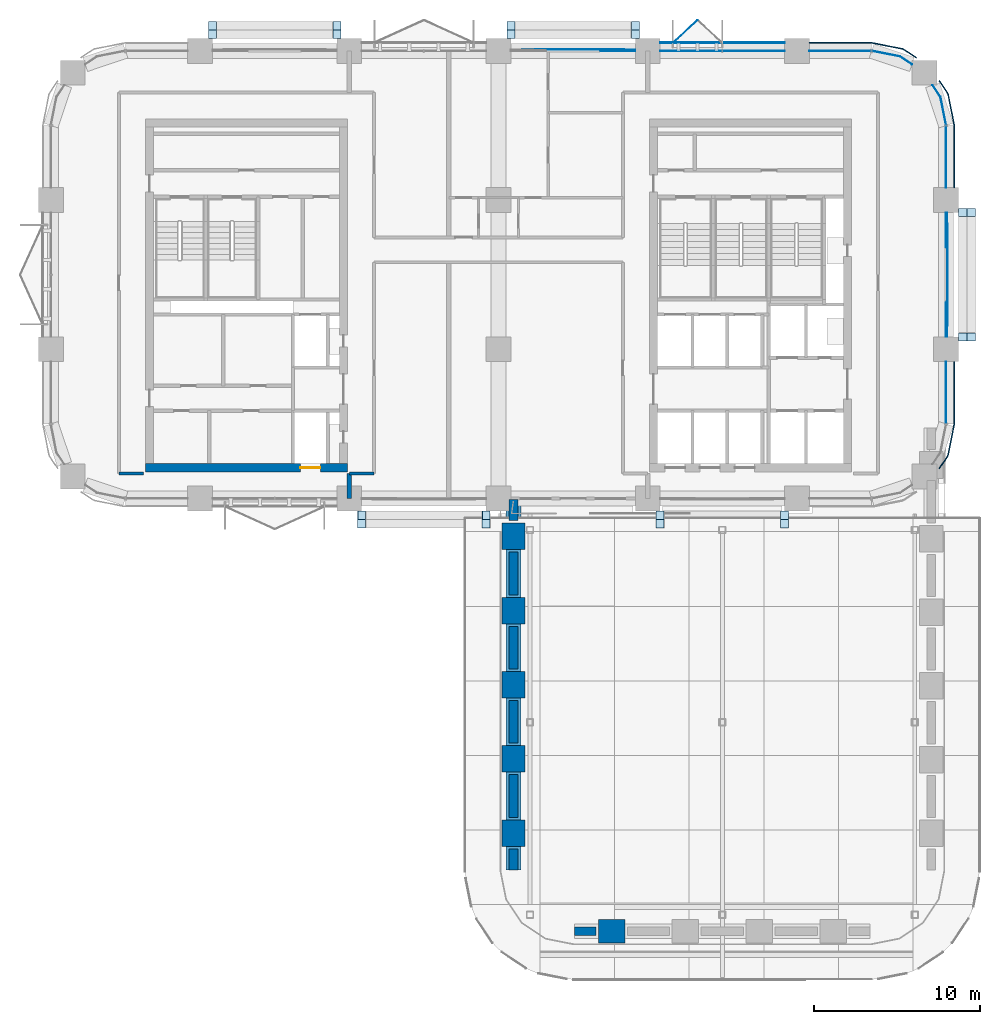
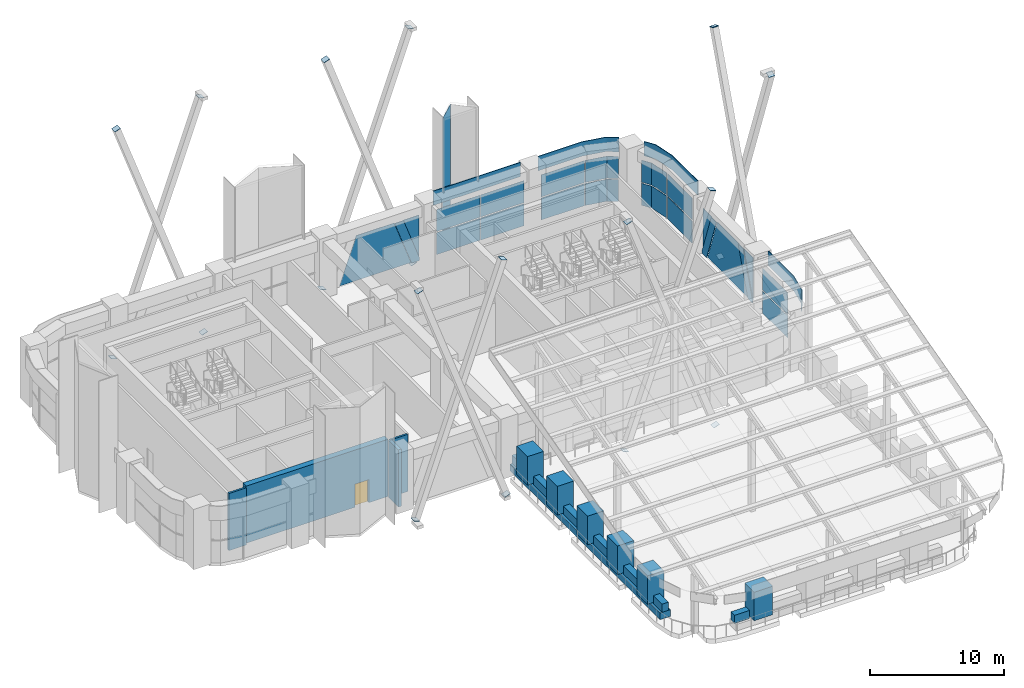
# One storey, part 12 of 22: 47 plates, 18 walls, 1 door, 1 opening, 6 elements without a shape of their own.
"""IFC4 building model written with IfcOpenShell, lengths in metres."""

from ifc_helpers import new_model, si_unit, direction, frame, frame_2d, origin, origin_2d, place, context, subcontext, project, spatial, polyline, rectangle, outline, extrude, material, layer, layer_set, type_object, element, fill, aggregate, save


model = new_model("IFC4")

# Units and contexts
model_context = context("Model", 3, precision=1e-05, world=origin(), true_north=direction((0.0, 1.0)))
body_context = subcontext(model_context, "Body", "Model", "MODEL_VIEW")
ifc_project = project(units=[si_unit("LENGTHUNIT", "METRE"), si_unit("AREAUNIT", "SQUARE_METRE"), si_unit("VOLUMEUNIT", "CUBIC_METRE"), si_unit("PLANEANGLEUNIT", "RADIAN"), si_unit("MASSUNIT", "GRAM", prefix="KILO")], contexts=[model_context])

# Site, building, storey
site_placement = place(None, origin())
site = spatial("IfcSite", under=ifc_project, at=site_placement, CompositionType="ELEMENT")
building_placement = place(site_placement, origin())
building = spatial("IfcBuilding", under=site, at=building_placement, Name="Tessera Arch", CompositionType="ELEMENT")
storey_placement = place(building_placement, frame((0.0, 0.0, 129.39990234375)))
storey = spatial("IfcBuildingStorey", under=building, at=storey_placement, Name="L30", CompositionType="ELEMENT", Elevation=129.39990234375)

# Curtain wall, plates
ifc_material_1 = material(Name="CW1 curtain wall")
curtain_wall_type_1 = type_object("IfcCurtainWallType", Name="CW1 curtain wall", PredefinedType="NOTDEFINED", material=ifc_material_1)
curtain_wall_1_placement = place(storey_placement, origin())
curtain_wall_1 = element("IfcCurtainWall", 1, at=curtain_wall_1_placement, inside=storey, type_object=curtain_wall_type_1, Name="CW1 curtain wall N54.0/1 L30", PredefinedType="NOTDEFINED")
ifc_material_2 = material(Name="Clear low-e glass", Category="glass")
ifc_material_3 = material(Name="Clear low-e glass", Category="glass")
ifc_layer_1 = layer(ifc_material_3, 0.028076171875)
ifc_layer_set_1 = layer_set([ifc_layer_1], Name="CW1 glass panel")
plate_type_1 = type_object("IfcPlateType", Name="CW1 glass panel", PredefinedType="CURTAIN_PANEL", material=ifc_layer_set_1)
plate_1_placement = place(storey_placement, frame((42.389892578125, 54.0, 0.0), z_axis=(0.0, 0.0, 1.0), x_axis=(-1.0, 0.0, 0.0)))
plate_1 = element("IfcPlate", 2, at=plate_1_placement, type_object=plate_type_1, material=ifc_material_2, Name="CW1 glass panel N54.0/1 1.1.1", PredefinedType="CURTAIN_PANEL", context=body_context, shape_type="SweptSolid", body=[
    extrude(rectangle(XDim=3.719970703125, YDim=0.028076171875, at=origin_2d()), origin(), (0.0, 0.0, 1.0), 2.0),
])
plate_2_placement = place(storey_placement, frame((42.389892578125, 54.0, 2.10009765625), z_axis=(0.0, 0.0, 1.0), x_axis=(-1.0, 0.0, 0.0)))
plate_2 = element("IfcPlate", 3, at=plate_2_placement, type_object=plate_type_1, material=ifc_material_2, Name="CW1 glass panel N54.0/1 1.1.2", PredefinedType="CURTAIN_PANEL", context=body_context, shape_type="SweptSolid", body=[
    extrude(rectangle(XDim=3.719970703125, YDim=0.028076171875, at=origin_2d()), origin(), (0.0, 0.0, 1.0), 2.0),
])
plate_3_placement = place(storey_placement, frame((38.610107421875, 54.0, 0.0), z_axis=(0.0, 0.0, 1.0), x_axis=(-1.0, 0.0, 0.0)))
plate_3 = element("IfcPlate", 4, at=plate_3_placement, type_object=plate_type_1, material=ifc_material_2, Name="CW1 glass panel N54.0/1 1.2.1", PredefinedType="CURTAIN_PANEL", context=body_context, shape_type="SweptSolid", body=[
    extrude(rectangle(XDim=3.719970703125, YDim=0.028076171875, at=origin_2d()), origin(), (0.0, 0.0, 1.0), 2.0),
])
plate_4_placement = place(storey_placement, frame((38.610107421875, 54.0, 2.10009765625), z_axis=(0.0, 0.0, 1.0), x_axis=(-1.0, 0.0, 0.0)))
plate_4 = element("IfcPlate", 5, at=plate_4_placement, type_object=plate_type_1, material=ifc_material_2, Name="CW1 glass panel N54.0/1 1.2.2", PredefinedType="CURTAIN_PANEL", context=body_context, shape_type="SweptSolid", body=[
    extrude(rectangle(XDim=3.719970703125, YDim=0.028076171875, at=origin_2d()), origin(), (0.0, 0.0, 1.0), 2.0),
])
ifc_material_4 = material(Name="Pale anodised aluminium panel", Category="aluminium")
ifc_layer_2 = layer(ifc_material_4, 0.06005859375)
ifc_layer_set_2 = layer_set([ifc_layer_2], Name="CW1 spandrel panel")
plate_type_2 = type_object("IfcPlateType", Name="CW1 spandrel panel", PredefinedType="CURTAIN_PANEL", material=ifc_layer_set_2)
plate_5_placement = place(storey_placement, frame((40.5, 54.47998046875, 4.2001953125), z_axis=(0.0, 0.0, 1.0), x_axis=(-1.0, 0.0, 0.0)))
plate_5 = element("IfcPlate", 6, at=plate_5_placement, type_object=plate_type_2, Name="CW1 spandrel panel N54.0/1", PredefinedType="CURTAIN_PANEL", context=body_context, shape_type="SweptSolid", body=[
    extrude(rectangle(XDim=7.5, YDim=0.06005859375, at=origin_2d()), origin(), (0.0, 0.0, 1.0), 1.300048828125),
])
aggregate(curtain_wall_1, [plate_1, plate_2, plate_3, plate_4, plate_5])

ifc_material_5 = material(Name="CW2 curtain wall")
curtain_wall_type_2 = type_object("IfcCurtainWallType", Name="CW2 curtain wall", PredefinedType="NOTDEFINED", material=ifc_material_5)
curtain_wall_2_placement = place(storey_placement, origin())
curtain_wall_2 = element("IfcCurtainWall", 7, at=curtain_wall_2_placement, inside=storey, type_object=curtain_wall_type_2, Name="CW2 curtain wall E54.27/1 L30", PredefinedType="NOTDEFINED")
ifc_material_6 = material(Name="Clear low-e glass", Category="glass")
ifc_layer_3 = layer(ifc_material_6, 0.028076171875)
ifc_layer_set_3 = layer_set([ifc_layer_3], Name="CW2 glass panel")
plate_type_3 = type_object("IfcPlateType", Name="CW2 glass panel", PredefinedType="CURTAIN_PANEL", material=ifc_layer_set_3)
plate_6_placement = place(storey_placement, frame((54.0, 47.60498046875, 0.0), z_axis=(0.0, 0.0, 1.0), x_axis=(0.0, 1.0, 0.0)))
plate_6 = element("IfcPlate", 8, at=plate_6_placement, type_object=plate_type_3, material=ifc_material_2, Name="CW2 glass panel E54.27/1 1.1", PredefinedType="CURTAIN_PANEL", context=body_context, shape_type="SweptSolid", body=[
    extrude(rectangle(XDim=3.7099609375, YDim=0.028076171875, at=origin_2d()), origin(), (0.0, 0.0, 1.0), 2.0),
])
plate_7_placement = place(storey_placement, origin())
plate_7 = element("IfcPlate", 9, at=plate_7_placement, type_object=plate_type_3, material=ifc_material_2, Name="CW2 curved glass panel E54.27/1 2.1", PredefinedType="CURTAIN_PANEL", context=body_context, shape_type="SweptSolid", body=[
    extrude(outline(polyline([(53.644287109375, 51.216552734375), (53.978515625, 49.53662109375), (54.005859375, 49.5419921875), (53.670654296875, 51.2275390625), (53.19482421875, 51.939697265625), (53.17138671875, 51.92431640625), (53.644287109375, 51.216552734375)])), origin(), (0.0, 0.0, 1.0), 2.0),
])
plate_8_placement = place(storey_placement, frame((54.0, 47.60498046875, 2.10009765625), z_axis=(0.0, 0.0, 1.0), x_axis=(0.0, 1.0, 0.0)))
plate_8 = element("IfcPlate", 10, at=plate_8_placement, type_object=plate_type_3, material=ifc_material_2, Name="CW2 glass panel E54.27/1 1.2", PredefinedType="CURTAIN_PANEL", context=body_context, shape_type="SweptSolid", body=[
    extrude(rectangle(XDim=3.7099609375, YDim=0.028076171875, at=origin_2d()), origin(), (0.0, 0.0, 1.0), 2.0),
])
plate_9_placement = place(storey_placement, frame((0.0, 0.0, 2.10009765625)))
plate_9 = element("IfcPlate", 11, at=plate_9_placement, type_object=plate_type_3, material=ifc_material_2, Name="CW2 curved glass panel E54.27/1 2.2", PredefinedType="CURTAIN_PANEL", context=body_context, shape_type="SweptSolid", body=[
    extrude(outline(polyline([(53.644287109375, 51.216552734375), (53.978515625, 49.53662109375), (54.005859375, 49.5419921875), (53.670654296875, 51.2275390625), (53.19482421875, 51.939697265625), (53.17138671875, 51.92431640625), (53.644287109375, 51.216552734375)])), origin(), (0.0, 0.0, 1.0), 2.0),
])

curtain_wall_3_placement = place(storey_placement, origin())
curtain_wall_3 = element("IfcCurtainWall", 12, at=curtain_wall_3_placement, inside=storey, type_object=curtain_wall_type_2, Name="CW2 curtain wall N54.0/0 L30", PredefinedType="NOTDEFINED")
plate_10_placement = place(storey_placement, frame((47.60498046875, 54.0, 0.0), z_axis=(0.0, 0.0, 1.0), x_axis=(-1.0, 0.0, 0.0)))
plate_10 = element("IfcPlate", 13, at=plate_10_placement, type_object=plate_type_3, material=ifc_material_2, Name="CW2 glass panel N54.0/0 1.1", PredefinedType="CURTAIN_PANEL", context=body_context, shape_type="SweptSolid", body=[
    extrude(rectangle(XDim=3.7099609375, YDim=0.028076171875, at=origin_2d()), origin(), (0.0, 0.0, 1.0), 2.0),
])
plate_11_placement = place(storey_placement, origin())
plate_11 = element("IfcPlate", 14, at=plate_11_placement, type_object=plate_type_3, material=ifc_material_2, Name="CW2 curved glass panel N54.0/0 2.1", PredefinedType="CURTAIN_PANEL", context=body_context, shape_type="SweptSolid", body=[
    extrude(outline(polyline([(51.216552734375, 53.644287109375), (51.92431640625, 53.17138671875), (51.939697265625, 53.19482421875), (51.2275390625, 53.670654296875), (49.5419921875, 54.005859375), (49.53662109375, 53.978515625), (51.216552734375, 53.644287109375)])), origin(), (0.0, 0.0, 1.0), 2.0),
])
plate_12_placement = place(storey_placement, frame((47.60498046875, 54.0, 2.10009765625), z_axis=(0.0, 0.0, 1.0), x_axis=(-1.0, 0.0, 0.0)))
plate_12 = element("IfcPlate", 15, at=plate_12_placement, type_object=plate_type_3, material=ifc_material_2, Name="CW2 glass panel N54.0/0 1.2", PredefinedType="CURTAIN_PANEL", context=body_context, shape_type="SweptSolid", body=[
    extrude(rectangle(XDim=3.7099609375, YDim=0.028076171875, at=origin_2d()), origin(), (0.0, 0.0, 1.0), 2.0),
])
plate_13_placement = place(storey_placement, frame((0.0, 0.0, 2.10009765625)))
plate_13 = element("IfcPlate", 16, at=plate_13_placement, type_object=plate_type_3, material=ifc_material_2, Name="CW2 curved glass panel N54.0/0 2.2", PredefinedType="CURTAIN_PANEL", context=body_context, shape_type="SweptSolid", body=[
    extrude(outline(polyline([(51.216552734375, 53.644287109375), (51.92431640625, 53.17138671875), (51.939697265625, 53.19482421875), (51.2275390625, 53.670654296875), (49.5419921875, 54.005859375), (49.53662109375, 53.978515625), (51.216552734375, 53.644287109375)])), origin(), (0.0, 0.0, 1.0), 2.0),
])

curtain_wall_4_placement = place(storey_placement, origin())
curtain_wall_4 = element("IfcCurtainWall", 17, at=curtain_wall_4_placement, inside=storey, type_object=curtain_wall_type_2, Name="CW2 curtain wall E54.27/2 L30", PredefinedType="NOTDEFINED")
plate_14_placement = place(storey_placement, frame((54.0, 33.39501953125, 0.0), z_axis=(0.0, 0.0, 1.0), x_axis=(0.0, 1.0, 0.0)))
plate_14 = element("IfcPlate", 18, at=plate_14_placement, type_object=plate_type_3, material=ifc_material_2, Name="CW2 glass panel E54.27/2 1.1", PredefinedType="CURTAIN_PANEL", context=body_context, shape_type="SweptSolid", body=[
    extrude(rectangle(XDim=3.7099609375, YDim=0.028076171875, at=origin_2d()), origin(), (0.0, 0.0, 1.0), 2.0),
])
plate_15_placement = place(storey_placement, frame((54.0, 33.39501953125, 2.10009765625), z_axis=(0.0, 0.0, 1.0), x_axis=(0.0, 1.0, 0.0)))
plate_15 = element("IfcPlate", 19, at=plate_15_placement, type_object=plate_type_3, material=ifc_material_2, Name="CW2 glass panel E54.27/2 1.2", PredefinedType="CURTAIN_PANEL", context=body_context, shape_type="SweptSolid", body=[
    extrude(rectangle(XDim=3.7099609375, YDim=0.028076171875, at=origin_2d()), origin(), (0.0, 0.0, 1.0), 2.0),
])

# Plate
ifc_material_7 = material(Name="Pale anodised aluminium panel", Category="aluminium")
ifc_layer_4 = layer(ifc_material_7, 0.06005859375)
ifc_layer_set_4 = layer_set([ifc_layer_4], Name="CW2 spandrel panel")
plate_type_4 = type_object("IfcPlateType", Name="CW2 spandrel panel", PredefinedType="CURTAIN_PANEL", material=ifc_layer_set_4)
plate_16_placement = place(storey_placement, frame((0.0, 0.0, 4.2001953125)))
plate_16 = element("IfcPlate", 20, at=plate_16_placement, type_object=plate_type_4, Name="CW2 spandrel panel E54.27/1", PredefinedType="CURTAIN_PANEL", context=body_context, shape_type="SweptSolid", body=[
    extrude(outline(polyline([(54.449951171875, 49.499267578125), (54.449951171875, 45.75), (54.510009765625, 45.75), (54.510009765625, 49.500732421875), (54.507568359375, 49.550048828125), (54.500244140625, 49.598876953125), (54.157470703125, 51.322265625), (54.1455078125, 51.3701171875), (54.128662109375, 51.417236328125), (54.107421875, 51.462646484375), (54.08203125, 51.5048828125), (53.607177734375, 52.21533203125), (53.55712890625, 52.18212890625), (54.03125, 51.47265625), (54.054443359375, 51.434326171875), (54.0732421875, 51.394287109375), (54.088134765625, 51.352783203125), (54.09912109375, 51.30908203125), (54.441162109375, 49.588623046875), (54.44775390625, 49.544189453125), (54.449951171875, 49.499267578125)])), origin(), (0.0, 0.0, 1.0), 1.2998046875),
])

aggregate(curtain_wall_2, [plate_6, plate_7, plate_8, plate_9, plate_16])

plate_17_placement = place(storey_placement, frame((0.0, 0.0, 4.2001953125)))
plate_17 = element("IfcPlate", 21, at=plate_17_placement, type_object=plate_type_4, Name="CW2 spandrel panel N54.0/0", PredefinedType="CURTAIN_PANEL", context=body_context, shape_type="SweptSolid", body=[
    extrude(outline(polyline([(51.47265625, 54.03125), (52.18212890625, 53.55712890625), (52.21533203125, 53.607177734375), (51.5048828125, 54.08203125), (51.462646484375, 54.107421875), (51.417236328125, 54.128662109375), (51.3701171875, 54.1455078125), (51.322265625, 54.157470703125), (49.598876953125, 54.500244140625), (49.550048828125, 54.507568359375), (49.500732421875, 54.510009765625), (45.75, 54.510009765625), (45.75, 54.449951171875), (49.499267578125, 54.449951171875), (49.544189453125, 54.44775390625), (49.588623046875, 54.441162109375), (51.30908203125, 54.09912109375), (51.352783203125, 54.088134765625), (51.394287109375, 54.0732421875), (51.434326171875, 54.054443359375), (51.47265625, 54.03125)])), origin(), (0.0, 0.0, 1.0), 1.2998046875),
])

aggregate(curtain_wall_3, [plate_10, plate_11, plate_12, plate_13, plate_17])

plate_18_placement = place(storey_placement, frame((0.0, 0.0, 4.2001953125)))
plate_18 = element("IfcPlate", 22, at=plate_18_placement, type_object=plate_type_4, Name="CW2 spandrel panel E54.27/2", PredefinedType="CURTAIN_PANEL", context=body_context, shape_type="SweptSolid", body=[
    extrude(outline(polyline([(54.03125, 29.52734375), (53.55712890625, 28.81787109375), (53.607177734375, 28.78466796875), (54.08203125, 29.4951171875), (54.107421875, 29.537353515625), (54.128662109375, 29.582763671875), (54.1455078125, 29.6298828125), (54.157470703125, 29.677734375), (54.500244140625, 31.401123046875), (54.507568359375, 31.449951171875), (54.510009765625, 31.499267578125), (54.510009765625, 35.25), (54.449951171875, 35.25), (54.449951171875, 31.500732421875), (54.44775390625, 31.455810546875), (54.441162109375, 31.411376953125), (54.09912109375, 29.69091796875), (54.088134765625, 29.647216796875), (54.0732421875, 29.605712890625), (54.054443359375, 29.565673828125), (54.03125, 29.52734375)])), origin(), (0.0, 0.0, 1.0), 1.2998046875),
])

aggregate(curtain_wall_4, [plate_14, plate_15, plate_18])

# Curtain wall, plates
ifc_material_8 = material(Name="CW3 curtain wall")
curtain_wall_type_3 = type_object("IfcCurtainWallType", Name="CW3 curtain wall", PredefinedType="NOTDEFINED", material=ifc_material_8)
curtain_wall_5_placement = place(storey_placement, origin())
curtain_wall_5 = element("IfcCurtainWall", 23, at=curtain_wall_5_placement, inside=storey, type_object=curtain_wall_type_3, Name="CW3 curtain wall E54.27/0 L30", PredefinedType="NOTDEFINED")
ifc_material_9 = material(Name="Pale anodised aluminium panel", Category="aluminium")
ifc_layer_5 = layer(ifc_material_9, 0.06005859375)
ifc_layer_set_5 = layer_set([ifc_layer_5], Name="CW3 diagonal panel")
plate_type_5 = type_object("IfcPlateType", Name="CW3 diagonal panel", PredefinedType="CURTAIN_PANEL", material=ifc_layer_set_5)
plate_19_placement = place(storey_placement, frame((54.030029296875, 44.25, 0.0), z_axis=(1.0, 0.0, 0.0), x_axis=(0.0, 0.0, 1.0)))
plate_19 = element("IfcPlate", 24, at=plate_19_placement, type_object=plate_type_5, Name="CW3 diagonal panel E54.27/0 1", PredefinedType="CURTAIN_PANEL", context=body_context, shape_type="SweptSolid", body=[
    extrude(outline(polyline([(0.0, 0.0), (0.277099609375, 0.0), (4.10009765625, 1.35888671875), (4.10009765625, 2.12451171875), (0.0, 0.667236328125), (0.0, 0.0)])), origin(), (0.0, 0.0, -1.0), 0.06005859375),
])
plate_20_placement = place(storey_placement, frame((54.030029296875, 38.87451171875, 4.10009765625), z_axis=(1.0, 0.0, 0.0), x_axis=(0.0, -1.0, 0.0)))
plate_20 = element("IfcPlate", 25, at=plate_20_placement, type_object=plate_type_5, Name="CW3 diagonal panel E54.27/0 2", PredefinedType="CURTAIN_PANEL", context=body_context, shape_type="SweptSolid", body=[
    extrude(outline(polyline([(0.0, 0.0), (0.765625, 0.0), (2.12451171875, 3.822998046875), (2.12451171875, 4.10009765625), (1.457275390625, 4.10009765625), (0.0, 0.0)])), origin(), (0.0, 0.0, -1.0), 0.06005859375),
])

# Curtain wall, plate
curtain_wall_6_placement = place(storey_placement, origin())
curtain_wall_6 = element("IfcCurtainWall", 26, at=curtain_wall_6_placement, inside=storey, type_object=curtain_wall_type_3, Name="CW3 curtain wall N54.0/2 L30", PredefinedType="NOTDEFINED")
plate_21_placement = place(storey_placement, frame((33.12548828125, 54.030029296875, 4.10009765625), z_axis=(0.0, 1.0, 0.0), x_axis=(1.0, 0.0, 0.0)))
plate_21 = element("IfcPlate", 27, at=plate_21_placement, type_object=plate_type_5, Name="CW3 diagonal panel N54.0/2 2", PredefinedType="CURTAIN_PANEL", context=body_context, shape_type="SweptSolid", body=[
    extrude(outline(polyline([(0.0, 0.0), (0.765625, 0.0), (2.12451171875, 3.822998046875), (2.12451171875, 4.10009765625), (1.457275390625, 4.10009765625), (0.0, 0.0)])), origin(), (0.0, 0.0, -1.0), 0.06005859375),
])

# Plate
ifc_material_10 = material(Name="Clear low-e glass", Category="glass")
ifc_layer_6 = layer(ifc_material_10, 0.028076171875)
ifc_layer_set_6 = layer_set([ifc_layer_6], Name="CW3 glass panel")
plate_type_6 = type_object("IfcPlateType", Name="CW3 glass panel", PredefinedType="CURTAIN_PANEL", material=ifc_layer_set_6)
plate_22_placement = place(storey_placement, frame((54.05810546875, 36.75, 4.10009765625), z_axis=(1.0, 0.0, 0.0), x_axis=(0.0, 0.0, -1.0)))
plate_22 = element("IfcPlate", 28, at=plate_22_placement, type_object=plate_type_6, material=ifc_material_2, Name="CW3 triangulated glass panel E54.27/0 1", PredefinedType="CURTAIN_PANEL", context=body_context, shape_type="SweptSolid", body=[
    extrude(outline(polyline([(0.0, 0.0), (3.822998046875, 0.0), (0.0, 1.35888671875), (0.0, 0.0)])), origin(), (0.0, 0.0, -1.0), 0.028076171875),
])

plate_23_placement = place(storey_placement, frame((54.0859375, 42.12548828125, 4.10009765625), z_axis=(1.0, 0.0, 0.0), x_axis=(0.0, -1.0, 0.0)))
plate_23 = element("IfcPlate", 29, at=plate_23_placement, type_object=plate_type_6, material=ifc_material_2, Name="CW3 triangulated glass panel E54.27/0 2", PredefinedType="CURTAIN_PANEL", context=body_context, shape_type="SweptSolid", body=[
    extrude(outline(polyline([(0.0, 0.0), (3.2509765625, 0.0), (4.708251953125, 4.10009765625), (-1.457275390625, 4.10009765625), (0.0, 0.0)])), origin(), (0.0, 0.0, -1.0), 0.028076171875),
])

plate_24_placement = place(storey_placement, frame((54.05810546875, 44.25, 4.10009765625), z_axis=(1.0, 0.0, 0.0), x_axis=(0.0, -1.0, 0.0)))
plate_24 = element("IfcPlate", 30, at=plate_24_placement, type_object=plate_type_6, material=ifc_material_2, Name="CW3 triangulated glass panel E54.27/0 3", PredefinedType="CURTAIN_PANEL", context=body_context, shape_type="SweptSolid", body=[
    extrude(outline(polyline([(0.0, 0.0), (1.35888671875, 0.0), (0.0, 3.822998046875), (0.0, 0.0)])), origin(), (0.0, 0.0, -1.0), 0.028076171875),
])

aggregate(curtain_wall_5, [plate_22, plate_23, plate_24, plate_19, plate_20])

plate_25_placement = place(storey_placement, frame((35.25, 54.05810546875, 4.10009765625), z_axis=(0.0, 1.0, 0.0), x_axis=(0.0, 0.0, -1.0)))
plate_25 = element("IfcPlate", 31, at=plate_25_placement, type_object=plate_type_6, material=ifc_material_2, Name="CW3 triangulated glass panel N54.0/2 1", PredefinedType="CURTAIN_PANEL", context=body_context, shape_type="SweptSolid", body=[
    extrude(outline(polyline([(0.0, 0.0), (3.822998046875, 0.0), (0.0, 1.35888671875), (0.0, 0.0)])), origin(), (0.0, 0.0, -1.0), 0.028076171875),
])

plate_26_placement = place(storey_placement, frame((29.87451171875, 54.0859375, 4.10009765625), z_axis=(0.0, 1.0, 0.0), x_axis=(1.0, 0.0, 0.0)))
plate_26 = element("IfcPlate", 32, at=plate_26_placement, type_object=plate_type_6, material=ifc_material_2, Name="CW3 triangulated glass panel N54.0/2 2", PredefinedType="CURTAIN_PANEL", context=body_context, shape_type="SweptSolid", body=[
    extrude(outline(polyline([(0.0, 0.0), (3.2509765625, 0.0), (4.708251953125, 4.10009765625), (-1.457275390625, 4.10009765625), (0.0, 0.0)])), origin(), (0.0, 0.0, -1.0), 0.028076171875),
])

aggregate(curtain_wall_6, [plate_25, plate_26, plate_21])

# Plates
ifc_material_11 = material(Name="Steel A572 Gr50", Category="steel")
ifc_layer_7 = layer(ifc_material_11, 0.02490234375)
ifc_layer_set_7 = layer_set([ifc_layer_7], Name="End plate HSS20x20x5/8")
plate_type_7 = type_object("IfcPlateType", Name="End plate HSS20x20x5/8", PredefinedType="SHEET", material=ifc_layer_set_7)
for number, where, z_axis, x_axis, name in (
    (33, (55.00390625, 36.74169921875, -0.823486328125), (0.0, 0.330783749989, 0.943706580852), (-1.0, 0.0, 0.0), "End plate HSS20x20x5/8 E54.27-0 A1 L30"),
    (34, (55.00390625, 44.25, 20.300048828125), (0.0, 0.330783749989, 0.943706580852), (-1.0, 0.0, 0.0), "End plate HSS20x20x5/8 E54.27-0 A2 L30"),
    (35, (55.511962890625, 44.25830078125, -0.823486328125), (0.0, -0.330783749989, 0.943706580852), (1.0, 0.0, 0.0), "End plate HSS20x20x5/8 E54.27-0 B1 L30"),
    (36, (55.511962890625, 36.75, 20.300048828125), (0.0, -0.330783749989, 0.943706580852), (1.0, 0.0, 0.0), "End plate HSS20x20x5/8 E54.27-0 B2 L30"),
    (37, (35.25830078125, 55.00390625, -0.823486328125), (-0.330783749989, 0.0, 0.943706580852), (0.0, -1.0, 0.0), "End plate HSS20x20x5/8 N54.0-2 A1 L30"),
    (38, (27.75, 55.00390625, 20.300048828125), (-0.330783749989, 0.0, 0.943706580852), (0.0, -1.0, 0.0), "End plate HSS20x20x5/8 N54.0-2 A2 L30"),
    (39, (27.74169921875, 55.511962890625, -0.823486328125), (0.330783749989, 0.0, 0.943706580852), (0.0, 1.0, 0.0), "End plate HSS20x20x5/8 N54.0-2 B1 L30"),
    (40, (35.25, 55.511962890625, 20.300048828125), (0.330783749989, 0.0, 0.943706580852), (0.0, 1.0, 0.0), "End plate HSS20x20x5/8 N54.0-2 B2 L30"),
    (41, (17.25830078125, 55.00390625, -0.823486328125), (-0.330783749989, 0.0, 0.943706580852), (0.0, -1.0, 0.0), "End plate HSS20x20x5/8 N54.0-4 A1 L30"),
    (42, (9.75, 55.00390625, 20.300048828125), (-0.330783749989, 0.0, 0.943706580852), (0.0, -1.0, 0.0), "End plate HSS20x20x5/8 N54.0-4 A2 L30"),
    (43, (9.74169921875, 55.511962890625, -0.823486328125), (0.330783749989, 0.0, 0.943706580852), (0.0, 1.0, 0.0), "End plate HSS20x20x5/8 N54.0-4 B1 L30"),
    (44, (17.25, 55.511962890625, 20.300048828125), (0.330783749989, 0.0, 0.943706580852), (0.0, 1.0, 0.0), "End plate HSS20x20x5/8 N54.0-4 B2 L30"),
    (45, (18.74169921875, 25.99609375, -0.823486328125), (0.330783749989, 0.0, 0.943706580852), (0.0, 1.0, 0.0), "End plate HSS20x20x5/8 S27.0-2 A1 L30"),
    (46, (26.25, 25.99609375, 20.300048828125), (0.330783749989, 0.0, 0.943706580852), (0.0, 1.0, 0.0), "End plate HSS20x20x5/8 S27.0-2 A2 L30"),
    (47, (26.25830078125, 25.488037109375, -0.823486328125), (-0.330783749989, 0.0, 0.943706580852), (0.0, -1.0, 0.0), "End plate HSS20x20x5/8 S27.0-2 B1 L30"),
    (48, (18.75, 25.488037109375, 20.300048828125), (-0.330783749989, 0.0, 0.943706580852), (0.0, -1.0, 0.0), "End plate HSS20x20x5/8 S27.0-2 B2 L30"),
    (49, (36.74169921875, 25.99609375, -0.823486328125), (0.330783749989, 0.0, 0.943706580852), (0.0, 1.0, 0.0), "End plate HSS20x20x5/8 S27.0-4 A1 L30"),
    (50, (44.25, 25.99609375, 20.300048828125), (0.330783749989, 0.0, 0.943706580852), (0.0, 1.0, 0.0), "End plate HSS20x20x5/8 S27.0-4 A2 L30"),
    (51, (44.25830078125, 25.488037109375, -0.823486328125), (-0.330783749989, 0.0, 0.943706580852), (0.0, -1.0, 0.0), "End plate HSS20x20x5/8 S27.0-4 B1 L30"),
    (52, (36.75, 25.488037109375, 20.300048828125), (-0.330783749989, 0.0, 0.943706580852), (0.0, -1.0, 0.0), "End plate HSS20x20x5/8 S27.0-4 B2 L30"),
):
    element("IfcPlate", number, at=place(storey_placement, frame(where, z_axis=z_axis, x_axis=x_axis)), inside=storey, type_object=plate_type_7, Name=name, PredefinedType="SHEET", context=body_context, shape_type="SweptSolid", body=[
        extrude(rectangle(XDim=0.508056640625, YDim=0.508056640625, at=origin_2d()), origin(), (0.0, 0.0, 1.0), 0.025146484375),
    ])
ifc_material_12 = material(Name="Clear low-e glass", Category="glass")
ifc_layer_8 = layer(ifc_material_12, 0.028076171875)
ifc_layer_set_8 = layer_set([ifc_layer_8], Name="Window box glass facet")
plate_type_8 = type_object("IfcPlateType", Name="Window box glass facet", PredefinedType="SHEET", material=ifc_layer_set_8)
plate_27_placement = place(storey_placement, frame((38.27490234375, 55.179931640625, 0.219970703125), z_axis=(0.0, 0.0, 1.0), x_axis=(0.734414958885, 0.678700720617, 0.0)))
element("IfcPlate", 53, at=plate_27_placement, inside=storey, type_object=plate_type_8, Name="Window box N54.0/1.1 1x3 glass", PredefinedType="SHEET", context=body_context, shape_type="SweptSolid", body=[
    extrude(rectangle(XDim=1.974365234375, YDim=0.028076171875, at=origin_2d()), origin(), (0.0, 0.0, 1.0), 11.56005859375),
])

# Wall, opening, door
ifc_material_13 = material(Name="Concrete C60/75", Category="concrete")
ifc_layer_9 = layer(ifc_material_13, 0.5)
ifc_layer_set_9 = layer_set([ifc_layer_9], Name="Core shell wall 500 C60-75")
wall_type_1 = type_object("IfcWallType", Name="Core shell wall 500 C60-75", PredefinedType="SHEAR", material=ifc_layer_set_9)
wall_1_placement = place(storey_placement, frame((5.699951171875, 28.85009765625, 0.0), z_axis=(0.0, 0.0, 1.0), x_axis=(1.0, 0.0, 0.0)))
wall_1 = element("IfcWall", 54, at=wall_1_placement, inside=storey, type_object=wall_type_1, Name="L30 C2 core wall S", PredefinedType="SHEAR", context=body_context, shape_type="SweptSolid", body=[
    extrude(rectangle(XDim=12.199951171875, YDim=0.5, at=frame_2d((6.10009765625, 0.0))), origin(), (0.0, 0.0, 1.0), 5.2001953125),
])
opening_placement = place(wall_1_placement, frame((9.35009765625, 0.0, 0.0)))
opening = element("IfcOpeningElement", 55, at=opening_placement, cuts=wall_1, Name="Opening L30-C20", PredefinedType="OPENING", context=body_context, shape_type="SweptSolid", body=[
    extrude(rectangle(XDim=1.199951171875, YDim=2.10009765625, at=frame_2d((0.60009765625, 1.050048828125))), frame((0.0, 0.260009765625, 0.0), z_axis=(0.0, -1.0, 0.0), x_axis=(1.0, 0.0, 0.0)), (0.0, 0.0, 1.0), 0.52001953125),
])
ifc_material_14 = material(Name="Stainless steel AISI 304", Category="steel")
door_type = type_object("IfcDoorType", Name="Sliding landing door 1200 x 2100", OperationType="SLIDING_TO_LEFT", PredefinedType="DOOR", material=ifc_material_14)
door_placement = place(opening_placement, origin())
door = element("IfcDoor", 56, at=door_placement, inside=storey, type_object=door_type, Name="L30 HR7 lift landing door C20 type LD", OperationType="SLIDING_TO_LEFT", OverallHeight=2.10009765625, OverallWidth=1.199951171875, PredefinedType="DOOR", context=body_context, shape_type="SweptSolid", body=[
    extrude(rectangle(XDim=1.199951171875, YDim=2.10009765625, at=frame_2d((0.60009765625, 1.050048828125))), frame((0.0, 0.02490234375, 0.0), z_axis=(0.0, -1.0, 0.0), x_axis=(1.0, 0.0, 0.0)), (0.0, 0.0, 1.0), 0.050048828125),
])
fill(opening, door)

# Walls
ifc_material_15 = material(Name="Gypsum board on deep steel stud with mineral wool", Category="steel")
ifc_layer_10 = layer(ifc_material_15, 0.175048828125)
ifc_layer_set_10 = layer_set([ifc_layer_10], Name="Corridor wall 175 EI 60")
wall_type_2 = type_object("IfcWallType", Name="Corridor wall 175 EI 60", PredefinedType="PARTITIONING", material=ifc_layer_set_10)
for number, where, z_axis, x_axis, name in (
    (57, (4.10009765625, 28.5, 0.0), (0.0, 0.0, 1.0), (1.0, 0.0, 0.0), "L30 partition 1"),
    (58, (18.0, 28.5, 0.0), (0.0, 0.0, 1.0), (1.0, 0.0, 0.0), "L30 partition 2"),
):
    element("IfcWall", number, at=place(storey_placement, frame(where, z_axis=z_axis, x_axis=x_axis)), inside=storey, type_object=wall_type_2, Name=name, PredefinedType="PARTITIONING", context=body_context, shape_type="SweptSolid", body=[
        extrude(rectangle(XDim=1.5, YDim=0.175048828125, at=frame_2d((0.75, 0.0))), origin(), (0.0, 0.0, 1.0), 5.2001953125),
    ])
ifc_material_16 = material(Name="Double gypsum board on twin steel stud with acoustic mineral wool", Category="steel")
ifc_layer_11 = layer(ifc_material_16, 0.25)
ifc_layer_set_11 = layer_set([ifc_layer_11], Name="Party wall 250 EI 60")
wall_type_3 = type_object("IfcWallType", Name="Party wall 250 EI 60", PredefinedType="PARTITIONING", material=ifc_layer_set_11)
wall_2_placement = place(storey_placement, frame((18.0, 27.0, 0.0), z_axis=(0.0, 0.0, 1.0), x_axis=(0.0, 1.0, 0.0)))
element("IfcWall", 59, at=wall_2_placement, inside=storey, type_object=wall_type_3, Name="L30 partition 19", PredefinedType="PARTITIONING", context=body_context, shape_type="SweptSolid", body=[
    extrude(rectangle(XDim=1.5, YDim=0.25, at=frame_2d((0.75, 0.0))), origin(), (0.0, 0.0, 1.0), 5.2001953125),
])
ifc_material_17 = material(Name="Precast concrete C40/50", Category="concrete")
ifc_layer_12 = layer(ifc_material_17, 1.39990234375)
ifc_layer_set_12 = layer_set([ifc_layer_12], Name="Planter bed 1400 wide")
wall_type_4 = type_object("IfcWallType", Name="Planter bed 1400 wide", PredefinedType="SOLIDWALL", material=ifc_layer_set_12)
wall_3_placement = place(storey_placement, frame((34.617431640625, 0.89990234375, 0.60009765625), z_axis=(0.0, 0.0, 1.0), x_axis=(-1.0, 0.0, 0.0)))
element("IfcWall", 60, at=wall_3_placement, inside=storey, type_object=wall_type_4, Name="Tree planting on bed terrace bed 1-2 4", PredefinedType="SOLIDWALL", context=body_context, shape_type="SweptSolid", body=[
    extrude(rectangle(XDim=1.60009765625, YDim=1.39990234375, at=frame_2d((0.800048828125, 0.0))), origin(), (0.0, 0.0, 1.0), 2.60009765625),
])
for number, where, z_axis, x_axis, name in (
    (61, (27.900146484375, 6.024169921875, 0.60009765625), (0.0, 0.0, 1.0), (0.0, 1.0, 0.0), "Tree planting on bed terrace bed 1-3 1"),
    (62, (27.900146484375, 10.49658203125, 0.60009765625), (0.0, 0.0, 1.0), (0.0, 1.0, 0.0), "Tree planting on bed terrace bed 1-3 2"),
    (63, (27.900146484375, 14.968994140625, 0.60009765625), (0.0, 0.0, 1.0), (0.0, 1.0, 0.0), "Tree planting on bed terrace bed 1-3 3"),
):
    element("IfcWall", number, at=place(storey_placement, frame(where, z_axis=z_axis, x_axis=x_axis)), inside=storey, type_object=wall_type_4, Name=name, PredefinedType="SOLIDWALL", context=body_context, shape_type="SweptSolid", body=[
        extrude(rectangle(XDim=1.599853515625, YDim=1.39990234375, at=frame_2d((0.7998046875, 0.0))), origin(), (0.0, 0.0, 1.0), 2.60009765625),
    ])
for number, where, z_axis, x_axis, name in (
    (64, (27.900146484375, 19.44140625, 0.60009765625), (0.0, 0.0, 1.0), (0.0, 1.0, 0.0), "Tree planting on bed terrace bed 1-3 4"),
    (65, (27.89990234375, 23.913818359375, 0.60009765625), (0.0, 0.0, 1.0), (0.0, 1.0, 0.0), "Tree planting on bed terrace bed 1-3 5"),
):
    element("IfcWall", number, at=place(storey_placement, frame(where, z_axis=z_axis, x_axis=x_axis)), inside=storey, type_object=wall_type_4, Name=name, PredefinedType="SOLIDWALL", context=body_context, shape_type="SweptSolid", body=[
        extrude(rectangle(XDim=1.60009765625, YDim=1.39990234375, at=frame_2d((0.800048828125, 0.0))), origin(), (0.0, 0.0, 1.0), 2.60009765625),
    ])
ifc_material_18 = material(Name="Precast concrete C40/50", Category="concrete")
ifc_layer_13 = layer(ifc_material_18, 0.5400390625)
ifc_layer_set_13 = layer_set([ifc_layer_13], Name="Planter bed 540 wide")
wall_type_5 = type_object("IfcWallType", Name="Planter bed 540 wide", PredefinedType="SOLIDWALL", material=ifc_layer_set_13)
wall_4_placement = place(storey_placement, frame((32.867431640625, 0.89990234375, 0.60009765625), z_axis=(0.0, 0.0, 1.0), x_axis=(-1.0, 0.0, 0.0)))
element("IfcWall", 66, at=wall_4_placement, inside=storey, type_object=wall_type_5, Name="PLANTER shrub mass on terrace bed 1-2 5", PredefinedType="SOLIDWALL", context=body_context, shape_type="SweptSolid", body=[
    extrude(rectangle(XDim=1.27783203125, YDim=0.5400390625, at=frame_2d((0.638916015625, 0.0))), origin(), (0.0, 0.0, 1.0), 0.75),
])
wall_5_placement = place(storey_placement, frame((27.900146484375, 4.587890625, 0.60009765625), z_axis=(0.0, 0.0, 1.0), x_axis=(0.0, 1.0, 0.0)))
element("IfcWall", 67, at=wall_5_placement, inside=storey, type_object=wall_type_5, Name="PLANTER shrub mass on terrace bed 1-3 1", PredefinedType="SOLIDWALL", context=body_context, shape_type="SweptSolid", body=[
    extrude(rectangle(XDim=1.2861328125, YDim=0.5400390625, at=frame_2d((0.64306640625, 0.0))), origin(), (0.0, 0.0, 1.0), 0.75),
])
wall_6_placement = place(storey_placement, frame((27.900146484375, 7.774169921875, 0.60009765625), z_axis=(0.0, 0.0, 1.0), x_axis=(0.0, 1.0, 0.0)))
element("IfcWall", 68, at=wall_6_placement, inside=storey, type_object=wall_type_5, Name="PLANTER shrub mass on terrace bed 1-3 2", PredefinedType="SOLIDWALL", context=body_context, shape_type="SweptSolid", body=[
    extrude(rectangle(XDim=2.572265625, YDim=0.5400390625, at=frame_2d((1.2861328125, 0.0))), origin(), (0.0, 0.0, 1.0), 0.75),
])
for number, where, z_axis, x_axis, name in (
    (69, (27.900146484375, 12.24658203125, 0.60009765625), (0.0, 0.0, 1.0), (0.0, 1.0, 0.0), "PLANTER shrub mass on terrace bed 1-3 3"),
    (70, (27.900146484375, 16.718994140625, 0.60009765625), (0.0, 0.0, 1.0), (0.0, 1.0, 0.0), "PLANTER shrub mass on terrace bed 1-3 4"),
    (71, (27.900146484375, 21.19140625, 0.60009765625), (0.0, 0.0, 1.0), (-9.4903672e-05, 0.999999995497, 0.0), "PLANTER shrub mass on terrace bed 1-3 5"),
):
    element("IfcWall", number, at=place(storey_placement, frame(where, z_axis=z_axis, x_axis=x_axis)), inside=storey, type_object=wall_type_5, Name=name, PredefinedType="SOLIDWALL", context=body_context, shape_type="SweptSolid", body=[
        extrude(rectangle(XDim=2.572509765625, YDim=0.5400390625, at=frame_2d((1.2861328125, 0.0))), origin(), (0.0, 0.0, 1.0), 0.75),
    ])
wall_7_placement = place(storey_placement, frame((27.89990234375, 25.663818359375, 0.60009765625), z_axis=(0.0, 0.0, 1.0), x_axis=(0.0, 1.0, 0.0)))
element("IfcWall", 72, at=wall_7_placement, inside=storey, type_object=wall_type_5, Name="PLANTER shrub mass on terrace bed 1-3 6", PredefinedType="SOLIDWALL", context=body_context, shape_type="SweptSolid", body=[
    extrude(rectangle(XDim=1.2861328125, YDim=0.5400390625, at=frame_2d((0.64306640625, 0.0))), origin(), (0.0, 0.0, 1.0), 0.75),
])
ifc_material_19 = material(Name="Precast concrete C40/50", Category="concrete")
ifc_layer_14 = layer(ifc_material_19, 0.89990234375)
ifc_layer_set_14 = layer_set([ifc_layer_14], Name="Planter bed 900 wide")
wall_type_6 = type_object("IfcWallType", Name="Planter bed 900 wide", PredefinedType="SOLIDWALL", material=ifc_layer_set_14)
wall_8_placement = place(storey_placement, frame((27.900146484375, 4.587890625, 0.0), z_axis=(0.0, 0.0, 1.0), x_axis=(-1.0917627e-05, 0.99999999994, 0.0)))
element("IfcWall", 73, at=wall_8_placement, inside=storey, type_object=wall_type_6, Name="PLANTER terrace bed 1-3", PredefinedType="SOLIDWALL", context=body_context, shape_type="SweptSolid", body=[
    extrude(rectangle(XDim=22.362060546875, YDim=0.89990234375, at=frame_2d((11.18115234375, 0.0))), origin(), (0.0, 0.0, 1.0), 0.60009765625),
])

save(model, "model.ifc")
